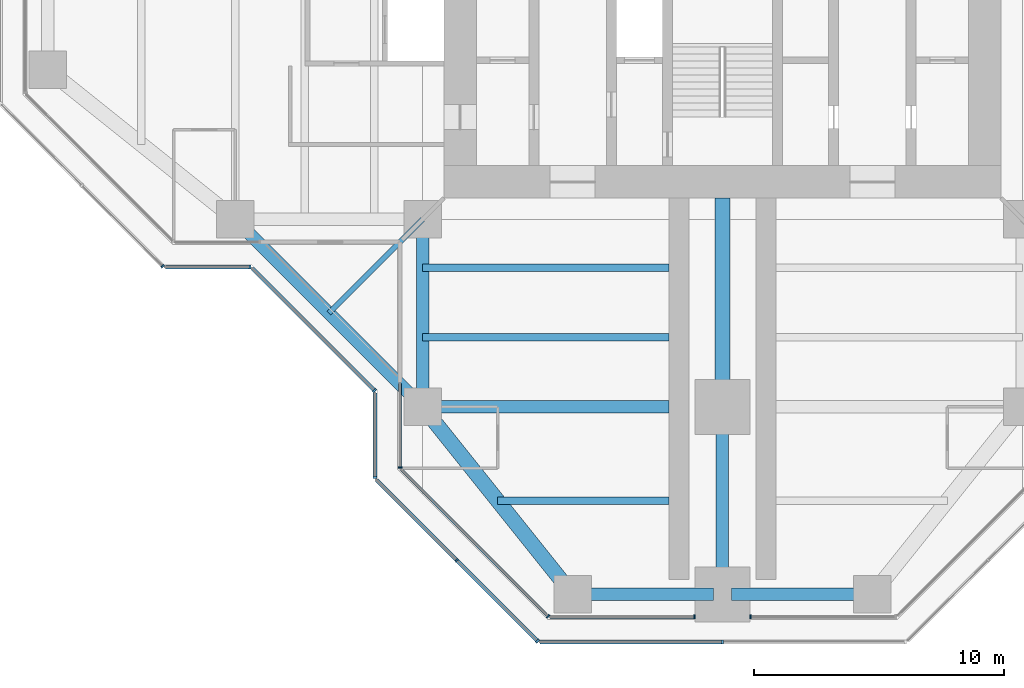
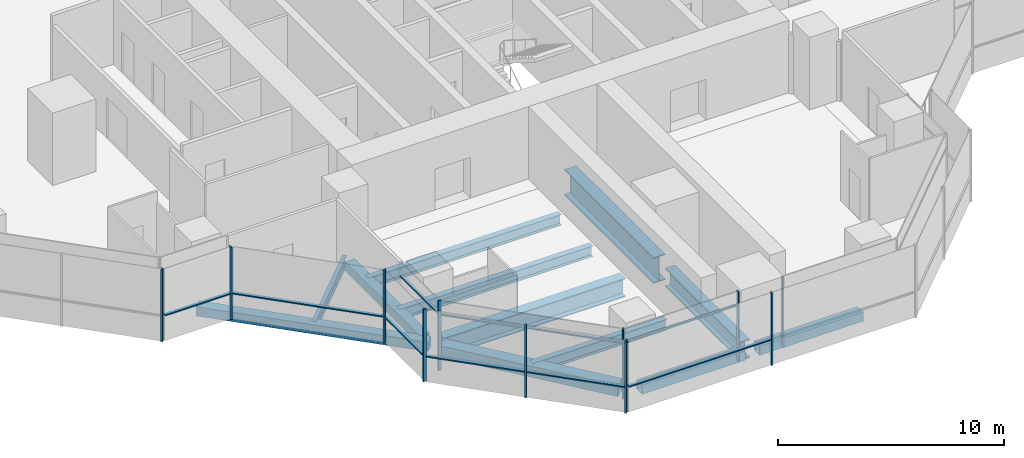
# One storey, part 2 of 17: 20 members, 12 beams, 10 elements without a shape of their own.
"""IFC4 building model written with IfcOpenShell, lengths in metres."""

from ifc_helpers import new_model, si_unit, direction, frame, origin, origin_2d, place, context, subcontext, project, spatial, rectangle, hollow_rectangle, i_section, extrude, material, material_profile, profile_set, type_object, element, aggregate, save


model = new_model("IFC4")

# Units and contexts
model_context = context("Model", 3, precision=1e-05, world=origin(), true_north=direction((0.0, 1.0)))
body_context = subcontext(model_context, "Body", "Model", "MODEL_VIEW")
ifc_project = project(units=[si_unit("LENGTHUNIT", "METRE"), si_unit("AREAUNIT", "SQUARE_METRE"), si_unit("VOLUMEUNIT", "CUBIC_METRE"), si_unit("PLANEANGLEUNIT", "RADIAN"), si_unit("MASSUNIT", "GRAM", prefix="KILO")], contexts=[model_context])

# Site, building, storey
site_placement = place(None, origin())
site = spatial("IfcSite", under=ifc_project, at=site_placement, CompositionType="ELEMENT")
building_placement = place(site_placement, origin())
building = spatial("IfcBuilding", under=site, at=building_placement, Name="Mizan Broadcast Tower", CompositionType="ELEMENT")
storey_placement = place(building_placement, frame((0.0, 0.0, 236.10009765625)))
storey = spatial("IfcBuildingStorey", under=building, at=storey_placement, Name="L55", CompositionType="ELEMENT", Elevation=236.10009765625)

# Beams
ifc_material_1 = material(Name="Steel S355", Category="steel")
ifc_material_profile_1 = material_profile(ifc_material_1, hollow_rectangle(XDim=0.5, YDim=0.5, WallThickness=0.030029296875, at=origin_2d()), Name="BOX 500x500x30")
ifc_profile_set_1 = profile_set([ifc_material_profile_1], Name="Steel S355")
beam_type_1 = type_object("IfcBeamType", Name="EDGE BEAM BOX 500x500x30", PredefinedType="SPANDREL", material=ifc_profile_set_1)
beam_1_placement = place(storey_placement, frame((-12.0, -12.449951171875, -0.380126953125), z_axis=(0.0, -1.0, 0.0), x_axis=(1.0, 0.0, 0.0)))
element("IfcBeam", 1, at=beam_1_placement, inside=storey, type_object=beam_type_1, Name="Edge beam BOX 500x500x30 L55 south arm", PredefinedType="SPANDREL", context=body_context, shape_type="SweptSolid", body=[
    extrude(hollow_rectangle(XDim=0.5, YDim=0.5, WallThickness=0.030029296875, at=origin_2d()), origin(), (0.0, 0.0, 1.0), 6.60009765625),
])
for number, where, z_axis, x_axis, name in (
    (2, (-5.639892578125, -27.0, -0.380126953125), (1.0, 0.0, 0.0), (0.0, 1.0, 0.0), "Edge beam BOX 500x500x30 L55 south arm"),
    (3, (5.639892578125, -27.0, -0.380126953125), (-1.0, 0.0, 0.0), (0.0, -1.0, 0.0), "Edge beam BOX 500x500x30 L55 south arm"),
):
    element("IfcBeam", number, at=place(storey_placement, frame(where, z_axis=z_axis, x_axis=x_axis)), inside=storey, type_object=beam_type_1, Name=name, PredefinedType="SPANDREL", context=body_context, shape_type="SweptSolid", body=[
        extrude(hollow_rectangle(XDim=0.5, YDim=0.5, WallThickness=0.030029296875, at=origin_2d()), origin(), (0.0, 0.0, 1.0), 5.27978515625),
    ])
beam_2_placement = place(storey_placement, frame((-19.5, -12.0, -0.380126953125), z_axis=(0.707106781187, -0.707106781187, 0.0), x_axis=(0.707106781187, 0.707106781187, 0.0)))
element("IfcBeam", 4, at=beam_2_placement, inside=storey, type_object=beam_type_1, Name="Winter garden edge beam L55 W", PredefinedType="SPANDREL", context=body_context, shape_type="SweptSolid", body=[
    extrude(hollow_rectangle(XDim=0.5, YDim=0.5, WallThickness=0.030029296875, at=origin_2d()), origin(), (0.0, 0.0, 1.0), 10.606689453125),
])
ifc_material_2 = material(Name="Steel S355", Category="steel")
ifc_material_profile_2 = material_profile(ifc_material_2, hollow_rectangle(XDim=0.60009765625, YDim=0.60009765625, WallThickness=0.030029296875, at=origin_2d()), Name="BOX 600x600x30")
ifc_profile_set_2 = profile_set([ifc_material_profile_2], Name="Steel S355")
beam_type_2 = type_object("IfcBeamType", Name="EDGE BEAM BOX 600x600x30", PredefinedType="SPANDREL", material=ifc_profile_set_2)
beam_3_placement = place(storey_placement, frame((-11.639892578125, -19.949951171875, -0.43017578125), z_axis=(0.624673911726, -0.780885717636, 0.0), x_axis=(0.780885717636, 0.624673911726, 0.0)))
element("IfcBeam", 5, at=beam_3_placement, inside=storey, type_object=beam_type_2, Name="Edge beam BOX 600x600x30 L55 south arm", PredefinedType="SPANDREL", context=body_context, shape_type="SweptSolid", body=[
    extrude(hollow_rectangle(XDim=0.60009765625, YDim=0.60009765625, WallThickness=0.030029296875, at=origin_2d()), origin(), (0.0, 0.0, 1.0), 8.4521484375),
])
ifc_material_3 = material(Name="Steel S460", Category="steel")
ifc_material_profile_3 = material_profile(ifc_material_3, i_section(OverallWidth=0.5, OverallDepth=1.0, WebThickness=0.02490234375, FlangeThickness=0.050048828125, at=origin_2d()), Name="WPG 1000x500")
ifc_profile_set_3 = profile_set([ifc_material_profile_3], Name="Steel S460")
beam_type_3 = type_object("IfcBeamType", Name="GIRDER WPG 1000x500", PredefinedType="BEAM", material=ifc_profile_set_3)
beam_4_placement = place(storey_placement, frame((0.0, -19.949951171875, -0.630126953125), z_axis=(0.0, -1.0, 0.0), x_axis=(1.0, 0.0, 0.0)))
element("IfcBeam", 6, at=beam_4_placement, inside=storey, type_object=beam_type_3, Name="Girder WPG 1000x500 L55 south arm", PredefinedType="BEAM", context=body_context, shape_type="SweptSolid", body=[
    extrude(i_section(OverallWidth=0.5, OverallDepth=1.0, WebThickness=0.02490234375, FlangeThickness=0.050048828125, at=origin_2d()), origin(), (0.0, 0.0, 1.0), 6.60009765625),
])
beam_5_placement = place(storey_placement, frame((-11.408935546875, -19.5, -0.630126953125), z_axis=(1.0, 0.0, 0.0), x_axis=(0.0, 1.0, 0.0)))
element("IfcBeam", 7, at=beam_5_placement, inside=storey, type_object=beam_type_3, Name="Girder WPG 1000x500 L55 south arm", PredefinedType="BEAM", context=body_context, shape_type="SweptSolid", body=[
    extrude(i_section(OverallWidth=0.5, OverallDepth=1.0, WebThickness=0.02490234375, FlangeThickness=0.050048828125, at=origin_2d()), origin(), (0.0, 0.0, 1.0), 9.259033203125),
])
ifc_material_4 = material(Name="Steel S460", Category="steel")
ifc_material_profile_4 = material_profile(ifc_material_4, i_section(OverallWidth=0.60009765625, OverallDepth=1.39990234375, WebThickness=0.02490234375, FlangeThickness=0.06005859375, at=origin_2d()), Name="WPG 1400x600")
ifc_profile_set_4 = profile_set([ifc_material_profile_4], Name="Steel S460")
beam_type_4 = type_object("IfcBeamType", Name="GIRDER WPG 1400x600", PredefinedType="BEAM", material=ifc_profile_set_4)
beam_6_placement = place(storey_placement, frame((0.0, -11.14990234375, -0.830078125), z_axis=(0.0, -1.0, 0.0), x_axis=(1.0, 0.0, 0.0)))
element("IfcBeam", 8, at=beam_6_placement, inside=storey, type_object=beam_type_4, Name="Girder WPG 1400x600 L55 south arm", PredefinedType="BEAM", context=body_context, shape_type="SweptSolid", body=[
    extrude(i_section(OverallWidth=0.60009765625, OverallDepth=1.39990234375, WebThickness=0.02490234375, FlangeThickness=0.06005859375, at=origin_2d()), origin(), (0.0, 0.0, 1.0), 7.84912109375),
])

# Curtain wall, member
ifc_material_5 = material(Name="Aluminium framed glazing", Category="aluminium")
curtain_wall_type_1 = type_object("IfcCurtainWallType", Name="INNER SKIN HIGH ZONE", PredefinedType="USERDEFINED", material=ifc_material_5)
curtain_wall_1_placement = place(storey_placement, origin())
curtain_wall_1 = element("IfcCurtainWall", 9, at=curtain_wall_1_placement, inside=storey, type_object=curtain_wall_type_1, Name="Inner skin high zone L55 S side", ObjectType="INNER SKIN HIGH ZONE", PredefinedType="USERDEFINED")
ifc_material_6 = material(Name="Aluminium, pale anodised", Category="aluminium")
ifc_material_profile_5 = material_profile(ifc_material_6, rectangle(XDim=0.159912109375, YDim=0.06005859375, at=origin_2d()), Name="MULLION 160x60")
ifc_profile_set_5 = profile_set([ifc_material_profile_5], Name="Aluminium, pale anodised")
member_type_1 = type_object("IfcMemberType", Name="INNER SKIN MULLION 60x160", PredefinedType="MULLION", material=ifc_profile_set_5)
member_1_placement = place(storey_placement, frame((-12.89990234375, -21.928466796875, 0.0), z_axis=(0.0, 0.0, 1.0), x_axis=(1.0, 0.0, 0.0)))
member_1 = element("IfcMember", 10, at=member_1_placement, type_object=member_type_1, Name="Inner skin high zone L55 S side mullion 2", PredefinedType="MULLION", context=body_context, shape_type="SweptSolid", body=[
    extrude(rectangle(XDim=0.159912109375, YDim=0.06005859375, at=origin_2d()), origin(), (0.0, 0.0, 1.0), 3.77001953125),
])

curtain_wall_2_placement = place(storey_placement, origin())
curtain_wall_2 = element("IfcCurtainWall", 11, at=curtain_wall_2_placement, inside=storey, type_object=curtain_wall_type_1, Name="Inner skin high zone L55 S chamfer", ObjectType="INNER SKIN HIGH ZONE", PredefinedType="USERDEFINED")
member_2_placement = place(storey_placement, frame((-6.979736328125, -27.87890625, 0.0), z_axis=(0.0, 0.0, 1.0), x_axis=(0.707106781187, 0.707106781187, 0.0)))
member_2 = element("IfcMember", 12, at=member_2_placement, type_object=member_type_1, Name="Inner skin high zone L55 S chamfer mullion 2", PredefinedType="MULLION", context=body_context, shape_type="SweptSolid", body=[
    extrude(rectangle(XDim=0.159912109375, YDim=0.06005859375, at=origin_2d()), origin(), (0.0, 0.0, 1.0), 3.77001953125),
])

curtain_wall_3_placement = place(storey_placement, origin())
curtain_wall_3 = element("IfcCurtainWall", 13, at=curtain_wall_3_placement, inside=storey, type_object=curtain_wall_type_1, Name="Inner skin high zone L55 S end", ObjectType="INNER SKIN HIGH ZONE", PredefinedType="USERDEFINED")
member_3_placement = place(storey_placement, frame((-1.1298828125, -27.89990234375, 0.0), z_axis=(0.0, 0.0, 1.0), x_axis=(0.0, 1.0, 0.0)))
member_3 = element("IfcMember", 14, at=member_3_placement, type_object=member_type_1, Name="Inner skin high zone L55 S end mullion 2", PredefinedType="MULLION", context=body_context, shape_type="SweptSolid", body=[
    extrude(rectangle(XDim=0.159912109375, YDim=0.06005859375, at=origin_2d()), origin(), (0.0, 0.0, 1.0), 3.77001953125),
])

curtain_wall_4_placement = place(storey_placement, origin())
curtain_wall_4 = element("IfcCurtainWall", 15, at=curtain_wall_4_placement, inside=storey, type_object=curtain_wall_type_1, Name="Inner skin high zone L55 S end", ObjectType="INNER SKIN HIGH ZONE", PredefinedType="USERDEFINED")
member_4_placement = place(storey_placement, frame((1.1298828125, -27.89990234375, 0.0), z_axis=(0.0, 0.0, 1.0), x_axis=(0.0, 1.0, 0.0)))
member_4 = element("IfcMember", 16, at=member_4_placement, type_object=member_type_1, Name="Inner skin high zone L55 S end mullion 1", PredefinedType="MULLION", context=body_context, shape_type="SweptSolid", body=[
    extrude(rectangle(XDim=0.159912109375, YDim=0.06005859375, at=origin_2d()), origin(), (0.0, 0.0, 1.0), 3.77001953125),
])
aggregate(curtain_wall_4, [member_4])

# Member
ifc_material_7 = material(Name="Aluminium, pale anodised", Category="aluminium")
ifc_material_profile_6 = material_profile(ifc_material_7, rectangle(XDim=0.1201171875, YDim=0.06005859375, at=origin_2d()), Name="TRANSOM 120x60")
ifc_profile_set_6 = profile_set([ifc_material_profile_6], Name="Aluminium, pale anodised")
member_type_2 = type_object("IfcMemberType", Name="INNER SKIN TRANSOM 60x120", PredefinedType="USERDEFINED", material=ifc_profile_set_6)
member_5_placement = place(storey_placement, frame((-12.89990234375, -18.56005859375, 3.02978515625), z_axis=(0.0, -1.0, 0.0), x_axis=(1.0, 0.0, 0.0)))
member_5 = element("IfcMember", 17, at=member_5_placement, type_object=member_type_2, Name="Inner skin high zone L55 S side transom 1.1", ObjectType="TRANSOM", PredefinedType="USERDEFINED", context=body_context, shape_type="SweptSolid", body=[
    extrude(rectangle(XDim=0.1201171875, YDim=0.06005859375, at=origin_2d()), origin(), (0.0, 0.0, 1.0), 3.338623046875),
])

aggregate(curtain_wall_1, [member_1, member_5])

member_6_placement = place(storey_placement, frame((-12.857666015625, -22.0009765625, 3.02978515625), z_axis=(0.707106781187, -0.707106781187, 0.0), x_axis=(0.707106781187, 0.707106781187, 0.0)))
member_6 = element("IfcMember", 18, at=member_6_placement, type_object=member_type_2, Name="Inner skin high zone L55 S chamfer transom 1.1", ObjectType="TRANSOM", PredefinedType="USERDEFINED", context=body_context, shape_type="SweptSolid", body=[
    extrude(rectangle(XDim=0.1201171875, YDim=0.06005859375, at=origin_2d()), origin(), (0.0, 0.0, 1.0), 8.28271484375),
])

aggregate(curtain_wall_2, [member_2, member_6])

member_7_placement = place(storey_placement, frame((-6.898681640625, -27.89990234375, 3.02978515625), z_axis=(1.0, 0.0, 0.0), x_axis=(0.0, 1.0, 0.0)))
member_7 = element("IfcMember", 19, at=member_7_placement, type_object=member_type_2, Name="Inner skin high zone L55 S end transom 1.1", ObjectType="TRANSOM", PredefinedType="USERDEFINED", context=body_context, shape_type="SweptSolid", body=[
    extrude(rectangle(XDim=0.1201171875, YDim=0.06005859375, at=origin_2d()), origin(), (0.0, 0.0, 1.0), 5.73876953125),
])

aggregate(curtain_wall_3, [member_3, member_7])

# Curtain wall, member
ifc_material_8 = material(Name="Aluminium framed glazing", Category="aluminium")
curtain_wall_type_2 = type_object("IfcCurtainWallType", Name="OUTER SKIN", PredefinedType="USERDEFINED", material=ifc_material_8)
curtain_wall_5_placement = place(storey_placement, origin())
curtain_wall_5 = element("IfcCurtainWall", 20, at=curtain_wall_5_placement, inside=storey, type_object=curtain_wall_type_2, Name="Outer skin L55 W chamfer", ObjectType="OUTER SKIN", PredefinedType="USERDEFINED")
ifc_material_9 = material(Name="Aluminium, pale anodised", Category="aluminium")
ifc_material_profile_7 = material_profile(ifc_material_9, rectangle(XDim=0.159912109375, YDim=0.080078125, at=origin_2d()), Name="MULLION 160x80")
ifc_profile_set_7 = profile_set([ifc_material_profile_7], Name="Aluminium, pale anodised")
member_type_3 = type_object("IfcMemberType", Name="OUTER SKIN MULLION 80x160", PredefinedType="MULLION", material=ifc_profile_set_7)
member_8_placement = place(storey_placement, frame((-22.401123046875, -13.871826171875, 0.0), z_axis=(0.0, 0.0, 1.0), x_axis=(0.707106781187, 0.707106781187, 0.0)))
member_8 = element("IfcMember", 21, at=member_8_placement, type_object=member_type_3, Name="Outer skin L55 W chamfer mullion 3", PredefinedType="MULLION", context=body_context, shape_type="SweptSolid", body=[
    extrude(rectangle(XDim=0.159912109375, YDim=0.080078125, at=origin_2d()), origin(), (0.0, 0.0, 1.0), 3.89990234375),
])
aggregate(curtain_wall_5, [member_8])

curtain_wall_6_placement = place(storey_placement, origin())
curtain_wall_6 = element("IfcCurtainWall", 22, at=curtain_wall_6_placement, inside=storey, type_object=curtain_wall_type_2, Name="Outer skin L55 W side", ObjectType="OUTER SKIN", PredefinedType="USERDEFINED")
member_9_placement = place(storey_placement, frame((-18.912841796875, -13.89990234375, 0.0), z_axis=(0.0, 0.0, 1.0), x_axis=(0.0, 1.0, 0.0)))
member_9 = element("IfcMember", 23, at=member_9_placement, type_object=member_type_3, Name="Outer skin L55 W side mullion 2", PredefinedType="MULLION", context=body_context, shape_type="SweptSolid", body=[
    extrude(rectangle(XDim=0.159912109375, YDim=0.080078125, at=origin_2d()), origin(), (0.0, 0.0, 1.0), 3.89990234375),
])

curtain_wall_7_placement = place(storey_placement, origin())
curtain_wall_7 = element("IfcCurtainWall", 24, at=curtain_wall_7_placement, inside=storey, type_object=curtain_wall_type_2, Name="Outer skin L55 W chamfer", ObjectType="OUTER SKIN", PredefinedType="USERDEFINED")
member_10_placement = place(storey_placement, frame((-13.92822265625, -18.844482421875, 0.0), z_axis=(0.0, 0.0, 1.0), x_axis=(0.707106781187, 0.707106781187, 0.0)))
member_10 = element("IfcMember", 25, at=member_10_placement, type_object=member_type_3, Name="Outer skin L55 W chamfer mullion 2", PredefinedType="MULLION", context=body_context, shape_type="SweptSolid", body=[
    extrude(rectangle(XDim=0.159912109375, YDim=0.080078125, at=origin_2d()), origin(), (0.0, 0.0, 1.0), 3.89990234375),
])

curtain_wall_8_placement = place(storey_placement, origin())
curtain_wall_8 = element("IfcCurtainWall", 26, at=curtain_wall_8_placement, inside=storey, type_object=curtain_wall_type_2, Name="Outer skin L55 S side", ObjectType="OUTER SKIN", PredefinedType="USERDEFINED")
member_11_placement = place(storey_placement, frame((-13.89990234375, -22.332763671875, 0.0), z_axis=(0.0, 0.0, 1.0), x_axis=(1.0, 0.0, 0.0)))
member_11 = element("IfcMember", 27, at=member_11_placement, type_object=member_type_3, Name="Outer skin L55 S side mullion 2", PredefinedType="MULLION", context=body_context, shape_type="SweptSolid", body=[
    extrude(rectangle(XDim=0.159912109375, YDim=0.080078125, at=origin_2d()), origin(), (0.0, 0.0, 1.0), 3.89990234375),
])

# Curtain wall, members
curtain_wall_9_placement = place(storey_placement, origin())
curtain_wall_9 = element("IfcCurtainWall", 28, at=curtain_wall_9_placement, inside=storey, type_object=curtain_wall_type_2, Name="Outer skin L55 S chamfer", ObjectType="OUTER SKIN", PredefinedType="USERDEFINED")
member_12_placement = place(storey_placement, frame((-10.636474609375, -25.636474609375, 0.0), z_axis=(0.0, 0.0, 1.0), x_axis=(0.707106781187, 0.707106781187, 0.0)))
member_12 = element("IfcMember", 29, at=member_12_placement, type_object=member_type_3, Name="Outer skin L55 S chamfer mullion 2", PredefinedType="MULLION", context=body_context, shape_type="SweptSolid", body=[
    extrude(rectangle(XDim=0.159912109375, YDim=0.080078125, at=origin_2d()), origin(), (0.0, 0.0, 1.0), 3.89990234375),
])
member_13_placement = place(storey_placement, frame((-7.401123046875, -28.871826171875, 0.0), z_axis=(0.0, 0.0, 1.0), x_axis=(0.707106781187, 0.707106781187, 0.0)))
member_13 = element("IfcMember", 30, at=member_13_placement, type_object=member_type_3, Name="Outer skin L55 S chamfer mullion 3", PredefinedType="MULLION", context=body_context, shape_type="SweptSolid", body=[
    extrude(rectangle(XDim=0.159912109375, YDim=0.080078125, at=origin_2d()), origin(), (0.0, 0.0, 1.0), 3.89990234375),
])

# Curtain wall, member
curtain_wall_10_placement = place(storey_placement, origin())
curtain_wall_10 = element("IfcCurtainWall", 31, at=curtain_wall_10_placement, inside=storey, type_object=curtain_wall_type_2, Name="Outer skin L55 S end", ObjectType="OUTER SKIN", PredefinedType="USERDEFINED")
member_14_placement = place(storey_placement, frame((0.0, -28.89990234375, 0.0), z_axis=(0.0, 0.0, 1.0), x_axis=(0.0, 1.0, 0.0)))
member_14 = element("IfcMember", 32, at=member_14_placement, type_object=member_type_3, Name="Outer skin L55 S end mullion 2", PredefinedType="MULLION", context=body_context, shape_type="SweptSolid", body=[
    extrude(rectangle(XDim=0.159912109375, YDim=0.080078125, at=origin_2d()), origin(), (0.0, 0.0, 1.0), 3.89990234375),
])

# Member
ifc_material_10 = material(Name="Aluminium, pale anodised", Category="aluminium")
ifc_material_profile_8 = material_profile(ifc_material_10, rectangle(XDim=0.159912109375, YDim=0.06005859375, at=origin_2d()), Name="TRANSOM 160x60")
ifc_profile_set_8 = profile_set([ifc_material_profile_8], Name="Aluminium, pale anodised")
member_type_4 = type_object("IfcMemberType", Name="OUTER SKIN TRANSOM 60x160", PredefinedType="USERDEFINED", material=ifc_profile_set_8)
member_15_placement = place(storey_placement, frame((-22.292724609375, -13.89990234375, 1.39990234375), z_axis=(1.0, 0.0, 0.0), x_axis=(0.0, 1.0, 0.0)))
member_15 = element("IfcMember", 33, at=member_15_placement, type_object=member_type_4, Name="Outer skin L55 W side transom 1.1", ObjectType="TRANSOM", PredefinedType="USERDEFINED", context=body_context, shape_type="SweptSolid", body=[
    extrude(rectangle(XDim=0.159912109375, YDim=0.06005859375, at=origin_2d()), origin(), (0.0, 0.0, 1.0), 3.33984375),
])

aggregate(curtain_wall_6, [member_9, member_15])

member_16_placement = place(storey_placement, frame((-18.816162109375, -13.95654296875, 1.39990234375), z_axis=(0.707106781187, -0.707106781187, 0.0), x_axis=(0.707106781187, 0.707106781187, 0.0)))
member_16 = element("IfcMember", 34, at=member_16_placement, type_object=member_type_4, Name="Outer skin L55 W chamfer transom 1.1", ObjectType="TRANSOM", PredefinedType="USERDEFINED", context=body_context, shape_type="SweptSolid", body=[
    extrude(rectangle(XDim=0.159912109375, YDim=0.06005859375, at=origin_2d()), origin(), (0.0, 0.0, 1.0), 6.87255859375),
])

aggregate(curtain_wall_7, [member_10, member_16])

member_17_placement = place(storey_placement, frame((-13.89990234375, -18.952880859375, 1.39990234375), z_axis=(0.0, -1.0, 0.0), x_axis=(1.0, 0.0, 0.0)))
member_17 = element("IfcMember", 35, at=member_17_placement, type_object=member_type_4, Name="Outer skin L55 S side transom 1.1", ObjectType="TRANSOM", PredefinedType="USERDEFINED", context=body_context, shape_type="SweptSolid", body=[
    extrude(rectangle(XDim=0.159912109375, YDim=0.06005859375, at=origin_2d()), origin(), (0.0, 0.0, 1.0), 3.33984375),
])

aggregate(curtain_wall_8, [member_11, member_17])

member_18_placement = place(storey_placement, frame((-13.843505859375, -22.429443359375, 1.39990234375), z_axis=(0.707106781187, -0.707106781187, 0.0), x_axis=(0.707106781187, 0.707106781187, 0.0)))
member_18 = element("IfcMember", 36, at=member_18_placement, type_object=member_type_4, Name="Outer skin L55 S chamfer transom 1.1", ObjectType="TRANSOM", PredefinedType="USERDEFINED", context=body_context, shape_type="SweptSolid", body=[
    extrude(rectangle(XDim=0.159912109375, YDim=0.06005859375, at=origin_2d()), origin(), (0.0, 0.0, 1.0), 4.495361328125),
])

member_19_placement = place(storey_placement, frame((-10.608154296875, -25.664794921875, 1.39990234375), z_axis=(0.707106781187, -0.707106781187, 0.0), x_axis=(0.707106781187, 0.707106781187, 0.0)))
member_19 = element("IfcMember", 37, at=member_19_placement, type_object=member_type_4, Name="Outer skin L55 S chamfer transom 2.1", ObjectType="TRANSOM", PredefinedType="USERDEFINED", context=body_context, shape_type="SweptSolid", body=[
    extrude(rectangle(XDim=0.159912109375, YDim=0.06005859375, at=origin_2d()), origin(), (0.0, 0.0, 1.0), 4.495361328125),
])

aggregate(curtain_wall_9, [member_12, member_13, member_18, member_19])

member_20_placement = place(storey_placement, frame((-7.292724609375, -28.89990234375, 1.39990234375), z_axis=(1.0, 0.0, 0.0), x_axis=(0.0, 1.0, 0.0)))
member_20 = element("IfcMember", 38, at=member_20_placement, type_object=member_type_4, Name="Outer skin L55 S end transom 1.1", ObjectType="TRANSOM", PredefinedType="USERDEFINED", context=body_context, shape_type="SweptSolid", body=[
    extrude(rectangle(XDim=0.159912109375, YDim=0.06005859375, at=origin_2d()), origin(), (0.0, 0.0, 1.0), 7.252685546875),
])

aggregate(curtain_wall_10, [member_14, member_20])

# Beams
ifc_material_11 = material(Name="Steel S355", Category="steel")
ifc_material_profile_9 = material_profile(ifc_material_11, i_section(OverallWidth=0.300048828125, OverallDepth=0.590087890625, WebThickness=0.012939453125, FlangeThickness=0.02490234375, FilletRadius=0.027099609375, at=origin_2d()), Name="HEA 600")
ifc_profile_set_9 = profile_set([ifc_material_profile_9], Name="Steel S355")
beam_type_5 = type_object("IfcBeamType", Name="SECONDARY BEAM HEA 600", PredefinedType="JOIST", material=ifc_profile_set_9)
for number, where, z_axis, x_axis, name in (
    (39, (-12.0, -13.933349609375, -0.425048828125), (1.0, 0.0, 0.0), (0.0, 1.0, 0.0), "Secondary beam HEA 600 L55 south arm"),
    (40, (-12.0, -16.716552734375, -0.425048828125), (1.0, 0.0, 0.0), (0.0, 1.0, 0.0), "Secondary beam HEA 600 L55 south arm"),
):
    element("IfcBeam", number, at=place(storey_placement, frame(where, z_axis=z_axis, x_axis=x_axis)), inside=storey, type_object=beam_type_5, Name=name, PredefinedType="JOIST", context=body_context, shape_type="SweptSolid", body=[
        extrude(i_section(OverallWidth=0.300048828125, OverallDepth=0.590087890625, WebThickness=0.012939453125, FlangeThickness=0.02490234375, FilletRadius=0.027099609375, at=origin_2d()), origin(), (0.0, 0.0, 1.0), 9.85009765625),
    ])
beam_7_placement = place(storey_placement, frame((-9.0, -23.25, -0.425048828125), z_axis=(1.0, 0.0, 0.0), x_axis=(0.0, 1.0, 0.0)))
element("IfcBeam", 41, at=beam_7_placement, inside=storey, type_object=beam_type_5, Name="Secondary beam HEA 600 L55 south arm", PredefinedType="JOIST", context=body_context, shape_type="SweptSolid", body=[
    extrude(i_section(OverallWidth=0.300048828125, OverallDepth=0.590087890625, WebThickness=0.012939453125, FlangeThickness=0.02490234375, FilletRadius=0.027099609375, at=origin_2d()), origin(), (0.0, 0.0, 1.0), 6.85009765625),
])
ifc_material_12 = material(Name="Steel S355", Category="steel")
ifc_material_profile_10 = material_profile(ifc_material_12, i_section(OverallWidth=0.2099609375, OverallDepth=0.550048828125, WebThickness=0.010986328125, FlangeThickness=0.01708984375, FilletRadius=0.02392578125, at=origin_2d()), Name="IPE 550")
ifc_profile_set_10 = profile_set([ifc_material_profile_10], Name="Steel S355")
beam_type_6 = type_object("IfcBeamType", Name="SECONDARY BEAM IPE 550", PredefinedType="JOIST", material=ifc_profile_set_10)
beam_8_placement = place(storey_placement, frame((-12.0, -12.0, -0.405029296875), z_axis=(-0.707106781187, -0.707106781187, 0.0), x_axis=(0.707106781187, -0.707106781187, 0.0)))
element("IfcBeam", 42, at=beam_8_placement, inside=storey, type_object=beam_type_6, Name="Winter garden beam L55 W", PredefinedType="JOIST", context=body_context, shape_type="SweptSolid", body=[
    extrude(i_section(OverallWidth=0.2099609375, OverallDepth=0.550048828125, WebThickness=0.010986328125, FlangeThickness=0.01708984375, FilletRadius=0.02392578125, at=origin_2d()), origin(), (0.0, 0.0, 1.0), 5.30322265625),
])

save(model, "model.ifc")
